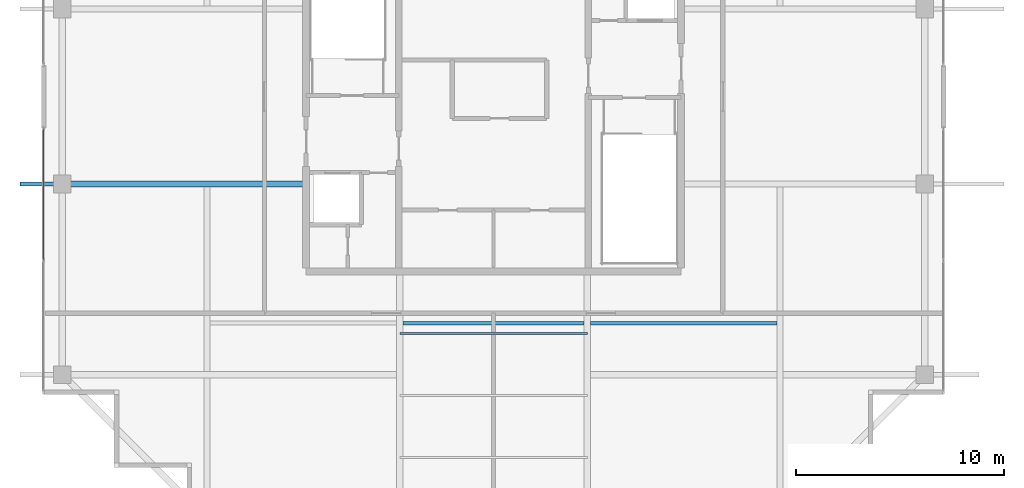
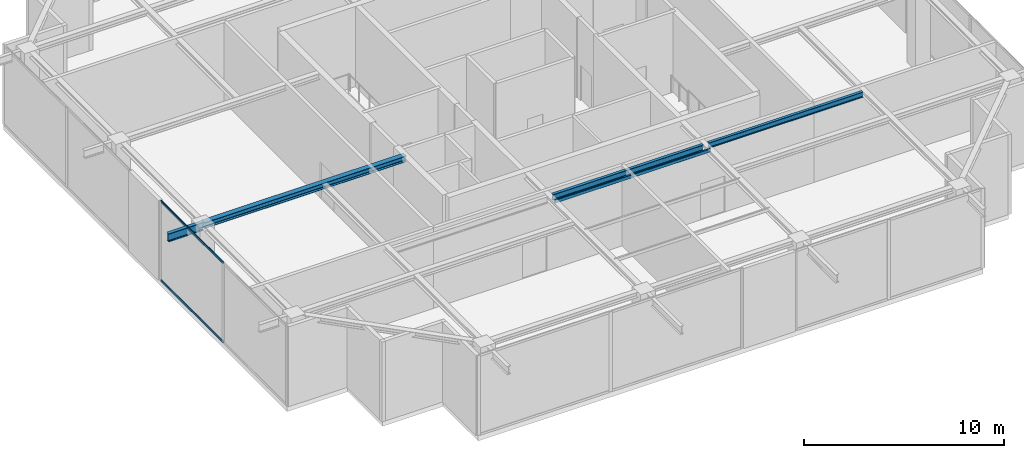
# One storey, part 8 of 27: 4 beams, 3 members, 1 element without a shape of its own.
"""IFC4 building model written with IfcOpenShell, lengths in metres."""

from ifc_helpers import new_model, si_unit, direction, frame, origin, origin_2d, place, context, subcontext, project, spatial, hollow_rectangle, i_section, extrude, source, transform, mapped, material, layer, layer_set, material_profile, profile_set, type_object, element, aggregate, save


model = new_model("IFC4")

# Units and contexts
model_context = context("Model", 3, precision=1e-05, world=origin(), true_north=direction((0.0, 1.0)))
body_context = subcontext(model_context, "Body", "Model", "MODEL_VIEW")
ifc_project = project(units=[si_unit("LENGTHUNIT", "METRE"), si_unit("AREAUNIT", "SQUARE_METRE"), si_unit("VOLUMEUNIT", "CUBIC_METRE"), si_unit("PLANEANGLEUNIT", "RADIAN"), si_unit("MASSUNIT", "GRAM", prefix="KILO")], contexts=[model_context])

# Site, building, storey
site_placement = place(None, origin())
site = spatial("IfcSite", under=ifc_project, at=site_placement, CompositionType="ELEMENT")
building_placement = place(site_placement, origin())
building = spatial("IfcBuilding", under=site, at=building_placement, Name="Serunith Strait Residences", CompositionType="ELEMENT")
storey_placement = place(building_placement, frame((0.0, 0.0, 365.75)))
storey = spatial("IfcBuildingStorey", under=building, at=storey_placement, Name="L89", CompositionType="ELEMENT", Elevation=365.75)

# Beams
ifc_material_1 = material(Name="Steel S355J2", Category="steel")
ifc_material_profile_1 = material_profile(ifc_material_1, i_section(OverallWidth=0.169921875, OverallDepth=0.360107421875, WebThickness=0.008056640625, FlangeThickness=0.0126953125, FilletRadius=0.01806640625, at=origin_2d()), Name="IPE 360")
ifc_profile_set_1 = profile_set([ifc_material_profile_1], Name="Steel S355J2")
beam_type_1 = type_object("IfcBeamType", Name="BM-IPE360", PredefinedType="JOIST", material=ifc_profile_set_1)
shared_shape_1 = source(origin(), body_context, "Body", "SweptSolid", [
    extrude(i_section(OverallWidth=0.169921875, OverallDepth=0.360107421875, WebThickness=0.008056640625, FlangeThickness=0.0126953125, FilletRadius=0.01806640625, at=origin_2d()), origin(), (0.0, 0.0, 1.0), 8.699951171875),
])
beam_1_placement = place(storey_placement, frame((28.050048828125, 14.324951171875, 4.717041015625), z_axis=(1.0, 0.0, 0.0), x_axis=(0.0, 1.0, 0.0)))
element("IfcBeam", 1, at=beam_1_placement, inside=storey, type_object=beam_type_1, Name="L89 Composite Floor Joist 02", PredefinedType="JOIST", context=body_context, shape_type="MappedRepresentation", body=[
    mapped(shared_shape_1, transform((0.0, 0.0, 0.0), scale=1.0)),
])
ifc_material_profile_2 = material_profile(ifc_material_1, i_section(OverallWidth=0.300048828125, OverallDepth=0.360107421875, WebThickness=0.012451171875, FlangeThickness=0.0224609375, FilletRadius=0.027099609375, at=origin_2d()), Name="HEB 360")
ifc_profile_set_2 = profile_set([ifc_material_profile_2], Name="Steel S355J2")
beam_type_2 = type_object("IfcBeamType", Name="BM-HEB360", PredefinedType="BEAM", material=ifc_profile_set_2)
shared_shape_2 = source(origin(), body_context, "Body", "SweptSolid", [
    extrude(i_section(OverallWidth=0.300048828125, OverallDepth=0.360107421875, WebThickness=0.012451171875, FlangeThickness=0.0224609375, FilletRadius=0.027099609375, at=origin_2d()), origin(), (0.0, 0.0, 1.0), 11.699951171875),
])
beam_2_placement = place(storey_placement, frame((23.39990234375, 21.0, 4.717041015625), z_axis=(-1.0, 0.0, 0.0), x_axis=(0.0, -1.0, 0.0)))
element("IfcBeam", 2, at=beam_2_placement, inside=storey, type_object=beam_type_2, Name="L89 Primary Floor Girder TC-W2", PredefinedType="BEAM", context=body_context, shape_type="MappedRepresentation", body=[
    mapped(shared_shape_2, transform((0.0, 0.0, 0.0), scale=1.0)),
])
ifc_material_profile_3 = material_profile(ifc_material_1, i_section(OverallWidth=0.159912109375, OverallDepth=0.330078125, WebThickness=0.007568359375, FlangeThickness=0.011474609375, FilletRadius=0.01806640625, at=origin_2d()), Name="IPE 330")
ifc_profile_set_3 = profile_set([ifc_material_profile_3], Name="Steel S355J2")
beam_type_3 = type_object("IfcBeamType", Name="BM-IPE330", PredefinedType="JOIST", material=ifc_profile_set_3)
shared_shape_3 = source(origin(), body_context, "Body", "SweptSolid", [
    extrude(i_section(OverallWidth=0.159912109375, OverallDepth=0.330078125, WebThickness=0.007568359375, FlangeThickness=0.011474609375, FilletRadius=0.01806640625, at=origin_2d()), origin(), (0.0, 0.0, 1.0), 8.949951171875),
])
beam_3_placement = place(storey_placement, frame((37.050048828125, 14.324951171875, 4.73193359375), z_axis=(1.0, 0.0, 0.0), x_axis=(0.0, 1.0, 0.0)))
element("IfcBeam", 3, at=beam_3_placement, inside=storey, type_object=beam_type_3, Name="L89 Composite Floor Joist 03", PredefinedType="JOIST", context=body_context, shape_type="MappedRepresentation", body=[
    mapped(shared_shape_3, transform((0.0, 0.0, 0.0), scale=1.0)),
])
ifc_material_profile_4 = material_profile(ifc_material_1, i_section(OverallWidth=0.199951171875, OverallDepth=0.5, WebThickness=0.01025390625, FlangeThickness=0.01611328125, FilletRadius=0.02099609375, at=origin_2d()), Name="IPE 500")
ifc_profile_set_4 = profile_set([ifc_material_profile_4], Name="Steel S355J2")
beam_type_4 = type_object("IfcBeamType", Name="BM-IPE500", PredefinedType="JOIST", material=ifc_profile_set_4)
shared_shape_4 = source(origin(), body_context, "Body", "SweptSolid", [
    extrude(i_section(OverallWidth=0.199951171875, OverallDepth=0.5, WebThickness=0.01025390625, FlangeThickness=0.01611328125, FilletRadius=0.02099609375, at=origin_2d()), origin(), (0.0, 0.0, 1.0), 2.030029296875),
])
beam_4_placement = place(storey_placement, frame((11.699951171875, 21.0, 4.64697265625), z_axis=(-1.0, 0.0, 0.0), x_axis=(0.0, -1.0, 0.0)))
element("IfcBeam", 4, at=beam_4_placement, inside=storey, type_object=beam_type_4, Name="Crown Canopy Cantilever Rafter TC-W2", PredefinedType="JOIST", context=body_context, shape_type="MappedRepresentation", body=[
    mapped(shared_shape_4, transform((0.0, 0.0, 0.0), scale=1.0)),
])

# Member
ifc_material_profile_5 = material_profile(ifc_material_1, hollow_rectangle(XDim=0.10009765625, YDim=0.199951171875, WallThickness=0.008056640625, InnerFilletRadius=0.011962890625, OuterFilletRadius=0.02001953125, at=origin_2d()), Name="RHS 200x100x8")
ifc_profile_set_5 = profile_set([ifc_material_profile_5], Name="Steel S355J2")
member_type_1 = type_object("IfcMemberType", Name="MBR-BRACE-RHS200", PredefinedType="PURLIN", material=ifc_profile_set_5)
shared_shape_5 = source(origin(), body_context, "Body", "SweptSolid", [
    extrude(hollow_rectangle(XDim=0.10009765625, YDim=0.199951171875, WallThickness=0.008056640625, InnerFilletRadius=0.011962890625, OuterFilletRadius=0.02001953125, at=origin_2d()), origin(), (0.0, 0.0, 1.0), 9.0),
])
member_1_placement = place(storey_placement, frame((27.89990234375, 13.824951171875, 4.797119140625), z_axis=(1.0, 0.0, 0.0), x_axis=(0.0, 1.0, 0.0)))
element("IfcMember", 5, at=member_1_placement, inside=storey, type_object=member_type_1, Name="Crown Canopy Steel Purlin 03", PredefinedType="PURLIN", context=body_context, shape_type="MappedRepresentation", body=[
    mapped(shared_shape_5, transform((0.0, 0.0, 0.0), scale=1.0)),
])

# Curtain wall, members
ifc_material_2 = material(Name="Pale-Silver Anodised Aluminium", Category="aluminium")
ifc_layer = layer(ifc_material_2, 0.199951171875, Name="Pale-Silver Anodised Aluminium")
ifc_layer_set = layer_set([ifc_layer], Name="Pale-Silver Anodised Aluminium")
curtain_wall_type = type_object("IfcCurtainWallType", Name="CW-SYS7", PredefinedType="NOTDEFINED", material=ifc_layer_set)
curtain_wall_placement = place(storey_placement, origin())
curtain_wall = element("IfcCurtainWall", 6, at=curtain_wall_placement, inside=storey, type_object=curtain_wall_type, Name="L89 W Unitised Fritted Curtain Wall", PredefinedType="NOTDEFINED")
ifc_material_profile_6 = material_profile(ifc_material_2, hollow_rectangle(XDim=0.06005859375, YDim=0.139892578125, WallThickness=0.00341796875, InnerFilletRadius=0.00537109375, OuterFilletRadius=0.0087890625, at=origin_2d()), Name="ALU 140x60x3.5")
ifc_profile_set_6 = profile_set([ifc_material_profile_6], Name="Pale-Silver Anodised Aluminium")
member_type_2 = type_object("IfcMemberType", Name="CW-SYS7-TRAN", PredefinedType="USERDEFINED", material=ifc_profile_set_6)
shared_shape_6 = source(origin(), body_context, "Body", "SweptSolid", [
    extrude(hollow_rectangle(XDim=0.06005859375, YDim=0.139892578125, WallThickness=0.00341796875, InnerFilletRadius=0.00537109375, OuterFilletRadius=0.0087890625, at=origin_2d()), origin(), (0.0, 0.0, 1.0), 6.241943359375),
])
member_2_placement = place(storey_placement, frame((10.800048828125, 23.6279296875, 0.030029296875), z_axis=(0.0, -1.0, 0.0), x_axis=(1.0, 0.0, 0.0)))
member_2 = element("IfcMember", 7, at=member_2_placement, type_object=member_type_2, Name="CW-7 transom 1.1", ObjectType="TRANSOM", PredefinedType="USERDEFINED", context=body_context, shape_type="MappedRepresentation", body=[
    mapped(shared_shape_6, transform((0.0, 0.0, 0.0), scale=1.0)),
])
member_3_placement = place(storey_placement, frame((10.800048828125, 23.6279296875, 4.85498046875), z_axis=(0.0, -1.0, 0.0), x_axis=(1.0, 0.0, 0.0)))
member_3 = element("IfcMember", 8, at=member_3_placement, type_object=member_type_2, Name="CW-7 transom 1.2", ObjectType="TRANSOM", PredefinedType="USERDEFINED", context=body_context, shape_type="MappedRepresentation", body=[
    mapped(shared_shape_6, transform((0.0, 0.0, 0.0), scale=1.0)),
])
aggregate(curtain_wall, [member_2, member_3])

save(model, "model.ifc")
